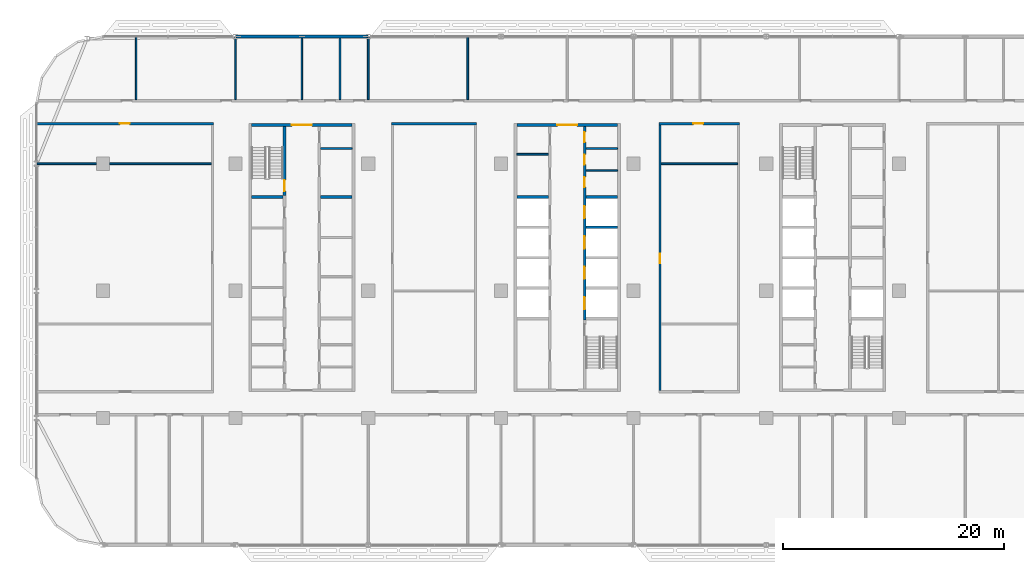
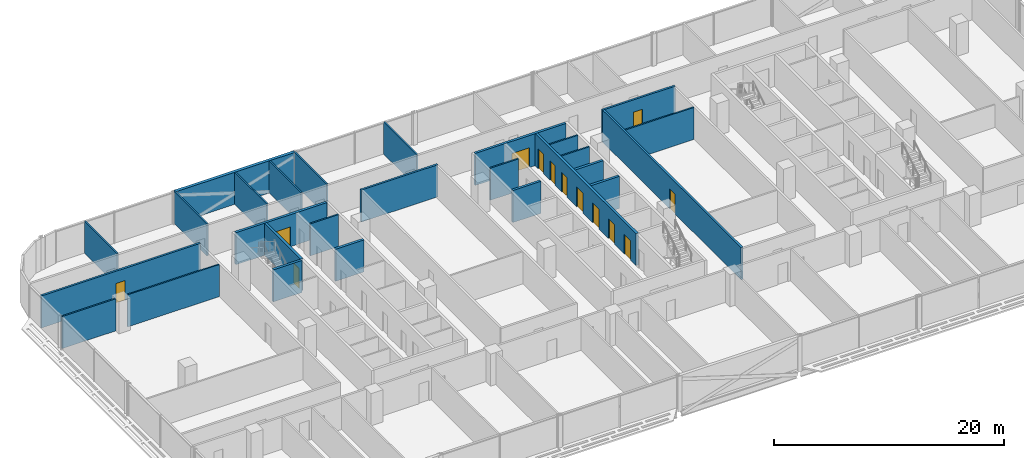
# One storey, part 13 of 28: 27 walls, 13 doors, 13 openings.
"""IFC4 building model written with IfcOpenShell, lengths in metres."""

from ifc_helpers import new_model, si_unit, direction, frame, frame_2d, origin, place, context, subcontext, project, spatial, rectangle, extrude, material, layer, layer_set, type_object, element, fill, save


model = new_model("IFC4")

# Units and contexts
model_context = context("Model", 3, precision=1e-05, world=origin(), true_north=direction((0.0, 1.0)))
body_context = subcontext(model_context, "Body", "Model", "MODEL_VIEW")
ifc_project = project(units=[si_unit("LENGTHUNIT", "METRE"), si_unit("AREAUNIT", "SQUARE_METRE"), si_unit("VOLUMEUNIT", "CUBIC_METRE"), si_unit("PLANEANGLEUNIT", "RADIAN"), si_unit("MASSUNIT", "GRAM", prefix="KILO")], contexts=[model_context])

# Site, building, storey
site_placement = place(None, origin())
site = spatial("IfcSite", under=ifc_project, at=site_placement, CompositionType="ELEMENT")
building_placement = place(site_placement, origin())
building = spatial("IfcBuilding", under=site, at=building_placement, Name="Mahtab Terrace Research Tower", CompositionType="ELEMENT")
storey_placement = place(building_placement, frame((0.0, 0.0, 185.800048828125)))
storey = spatial("IfcBuildingStorey", under=building, at=storey_placement, Name="L44", CompositionType="ELEMENT", Elevation=185.800048828125)

# Walls
ifc_material_1 = material(Name="Gypsum board partition")
ifc_layer_1 = layer(ifc_material_1, 0.14990234375)
ifc_layer_set_1 = layer_set([ifc_layer_1], Name="Core partition 150")
wall_type_1 = type_object("IfcWallType", Name="Core partition 150", PredefinedType="PARTITIONING", material=ifc_layer_set_1)
for number, where, z_axis, x_axis, name in (
    (1, (-22.300048828125, 12.875, 0.0), (0.0, 0.0, 1.0), (1.0, 0.0, 0.0), "Core wall A pEN988"),
    (2, (-4.550048828125, 12.35498046875, 0.0), (0.0, 0.0, 1.0), (1.0, 0.0, 0.0), "Core wall B pWN936"),
    (3, (1.699951171875, 10.875, 0.0), (0.0, 0.0, 1.0), (1.0, 0.0, 0.0), "Core wall B pEN788"),
    (4, (1.699951171875, 12.875, 0.0), (0.0, 0.0, 1.0), (1.0, 0.0, 0.0), "Core wall B pEN988"),
):
    element("IfcWall", number, at=place(storey_placement, frame(where, z_axis=z_axis, x_axis=x_axis)), inside=storey, type_object=wall_type_1, Name=name, PredefinedType="PARTITIONING", context=body_context, shape_type="SweptSolid", body=[
        extrude(rectangle(XDim=2.85009765625, YDim=0.14990234375, at=frame_2d((1.425048828125, 0.0))), origin(), (0.0, 0.0, 1.0), 3.39990234375),
    ])

# Wall, opening, door
ifc_material_2 = material(Name="Concrete C70/85", Category="concrete")
ifc_layer_2 = layer(ifc_material_2, 0.25)
ifc_layer_set_2 = layer_set([ifc_layer_2], Name="Core wall 250")
wall_type_2 = type_object("IfcWallType", Name="Core wall 250", PredefinedType="SOLIDWALL", material=ifc_layer_set_2)
wall_1_placement = place(storey_placement, frame((-28.550048828125, 15.0, 0.0), z_axis=(0.0, 0.0, 1.0), x_axis=(1.0, 0.0, 0.0)))
wall_1 = element("IfcWall", 5, at=wall_1_placement, inside=storey, type_object=wall_type_2, Name="Core wall A endN", PredefinedType="SOLIDWALL", context=body_context, shape_type="SweptSolid", body=[
    extrude(rectangle(XDim=9.10009765625, YDim=0.25, at=frame_2d((4.550048828125, 0.0))), origin(), (0.0, 0.0, 1.0), 3.39990234375),
])
opening_1_placement = place(wall_1_placement, frame((3.64990234375, 0.0, 0.0)))
opening_1 = element("IfcOpeningElement", 6, at=opening_1_placement, cuts=wall_1, Name="Opening A-N1", PredefinedType="OPENING", context=body_context, shape_type="SweptSolid", body=[
    extrude(rectangle(XDim=1.800048828125, YDim=2.10009765625, at=frame_2d((0.89990234375, 1.050048828125))), frame((0.0, 0.135009765625, 0.0), z_axis=(0.0, -1.0, 0.0), x_axis=(1.0, 0.0, 0.0)), (0.0, 0.0, 1.0), 0.27001953125),
])
ifc_material_3 = material(Name="Steel fire door", Category="steel")
door_type_1 = type_object("IfcDoorType", Name="Lobby double door 1800x2100 1 HR", OperationType="DOUBLE_DOOR_SINGLE_SWING", PredefinedType="DOOR", material=ifc_material_3)
door_1_placement = place(opening_1_placement, origin())
door_1 = element("IfcDoor", 7, at=door_1_placement, inside=storey, type_object=door_type_1, Name="Core entrance door A N", OperationType="DOUBLE_DOOR_SINGLE_SWING", OverallHeight=2.10009765625, OverallWidth=1.800048828125, PredefinedType="DOOR", context=body_context, shape_type="SweptSolid", body=[
    extrude(rectangle(XDim=1.800048828125, YDim=2.10009765625, at=frame_2d((0.89990234375, 1.050048828125))), frame((0.0, 0.02490234375, 0.0), z_axis=(0.0, -1.0, 0.0), x_axis=(1.0, 0.0, 0.0)), (0.0, 0.0, 1.0), 0.050048828125),
])
fill(opening_1, door_1)

wall_2_placement = place(storey_placement, frame((-25.574951171875, 14.875, 0.0), z_axis=(0.0, 0.0, 1.0), x_axis=(0.0, -1.0, 0.0)))
wall_2 = element("IfcWall", 8, at=wall_2_placement, inside=storey, type_object=wall_type_2, Name="Core wall A innerWN", PredefinedType="SOLIDWALL", context=body_context, shape_type="SweptSolid", body=[
    extrude(rectangle(XDim=6.25, YDim=0.25, at=frame_2d((3.125, 0.0))), origin(), (0.0, 0.0, 1.0), 3.39990234375),
])
opening_2_placement = place(wall_2_placement, frame((4.85009765625, 0.0, 0.0)))
opening_2 = element("IfcOpeningElement", 9, at=opening_2_placement, cuts=wall_2, Name="Opening A-ST1", PredefinedType="OPENING", context=body_context, shape_type="SweptSolid", body=[
    extrude(rectangle(XDim=1.0, YDim=2.10009765625, at=frame_2d((0.5, 1.050048828125))), frame((0.0, 0.135009765625, 0.0), z_axis=(0.0, -1.0, 0.0), x_axis=(1.0, 0.0, 0.0)), (0.0, 0.0, 1.0), 0.27001953125),
])
door_type_2 = type_object("IfcDoorType", Name="Stair door 1000x2100 1.5 HR", OperationType="NOTDEFINED", PredefinedType="DOOR", material=ifc_material_3)
door_2_placement = place(opening_2_placement, origin())
door_2 = element("IfcDoor", 10, at=door_2_placement, inside=storey, type_object=door_type_2, Name="Stair door ST1 L44", OperationType="SINGLE_SWING_LEFT", OverallHeight=2.10009765625, OverallWidth=1.0, PredefinedType="DOOR", context=body_context, shape_type="SweptSolid", body=[
    extrude(rectangle(XDim=1.0, YDim=2.10009765625, at=frame_2d((0.5, 1.050048828125))), frame((0.0, 0.02490234375, 0.0), z_axis=(0.0, -1.0, 0.0), x_axis=(1.0, 0.0, 0.0)), (0.0, 0.0, 1.0), 0.050048828125),
])
fill(opening_2, door_2)

# Walls
for number, where, z_axis, x_axis, name in (
    (11, (-28.550048828125, 8.5, 0.0), (0.0, 0.0, 1.0), (1.0, 0.0, 0.0), "Core wall A divW4"),
    (12, (-22.300048828125, 8.5, 0.0), (0.0, 0.0, 1.0), (1.0, 0.0, 0.0), "Core wall A divE4"),
):
    element("IfcWall", number, at=place(storey_placement, frame(where, z_axis=z_axis, x_axis=x_axis)), inside=storey, type_object=wall_type_2, Name=name, PredefinedType="SOLIDWALL", context=body_context, shape_type="SweptSolid", body=[
        extrude(rectangle(XDim=2.85009765625, YDim=0.25, at=frame_2d((1.425048828125, 0.0))), origin(), (0.0, 0.0, 1.0), 3.39990234375),
    ])

# Wall, opening, door
wall_3_placement = place(storey_placement, frame((-4.550048828125, 15.0, 0.0), z_axis=(0.0, 0.0, 1.0), x_axis=(1.0, 0.0, 0.0)))
wall_3 = element("IfcWall", 13, at=wall_3_placement, inside=storey, type_object=wall_type_2, Name="Core wall B endN", PredefinedType="SOLIDWALL", context=body_context, shape_type="SweptSolid", body=[
    extrude(rectangle(XDim=9.10009765625, YDim=0.25, at=frame_2d((4.550048828125, 0.0))), origin(), (0.0, 0.0, 1.0), 3.39990234375),
])
opening_3_placement = place(wall_3_placement, frame((3.64990234375, 0.0, 0.0)))
opening_3 = element("IfcOpeningElement", 14, at=opening_3_placement, cuts=wall_3, Name="Opening B-N1", PredefinedType="OPENING", context=body_context, shape_type="SweptSolid", body=[
    extrude(rectangle(XDim=1.800048828125, YDim=2.10009765625, at=frame_2d((0.89990234375, 1.050048828125))), frame((0.0, 0.135009765625, 0.0), z_axis=(0.0, -1.0, 0.0), x_axis=(1.0, 0.0, 0.0)), (0.0, 0.0, 1.0), 0.27001953125),
])
door_3_placement = place(opening_3_placement, origin())
door_3 = element("IfcDoor", 15, at=door_3_placement, inside=storey, type_object=door_type_1, Name="Core entrance door B N", OperationType="DOUBLE_DOOR_SINGLE_SWING", OverallHeight=2.10009765625, OverallWidth=1.800048828125, PredefinedType="DOOR", context=body_context, shape_type="SweptSolid", body=[
    extrude(rectangle(XDim=1.800048828125, YDim=2.10009765625, at=frame_2d((0.89990234375, 1.050048828125))), frame((0.0, 0.02490234375, 0.0), z_axis=(0.0, -1.0, 0.0), x_axis=(1.0, 0.0, 0.0)), (0.0, 0.0, 1.0), 0.050048828125),
])
fill(opening_3, door_3)

# Wall, openings, doors
wall_4_placement = place(storey_placement, frame((1.574951171875, 14.875, 0.0), z_axis=(0.0, 0.0, 1.0), x_axis=(0.0, -1.0, 0.0)))
wall_4 = element("IfcWall", 16, at=wall_4_placement, inside=storey, type_object=wall_type_2, Name="Core wall B innerELN", PredefinedType="SOLIDWALL", context=body_context, shape_type="SweptSolid", body=[
    extrude(rectangle(XDim=17.5, YDim=0.25, at=frame_2d((8.75, 0.0))), origin(), (0.0, 0.0, 1.0), 3.39990234375),
])
opening_4_placement = place(wall_4_placement, frame((15.449951171875, 0.0, 0.0)))
opening_4 = element("IfcOpeningElement", 17, at=opening_4_placement, cuts=wall_4, Name="Opening LD13-L44", PredefinedType="OPENING", context=body_context, shape_type="SweptSolid", body=[
    extrude(rectangle(XDim=1.10009765625, YDim=2.10009765625, at=frame_2d((0.550048828125, 1.050048828125))), frame((0.0, 0.135009765625, 0.0), z_axis=(0.0, -1.0, 0.0), x_axis=(1.0, 0.0, 0.0)), (0.0, 0.0, 1.0), 0.27001953125),
])
opening_5_placement = place(wall_4_placement, frame((12.699951171875, 0.0, 0.0)))
opening_5 = element("IfcOpeningElement", 18, at=opening_5_placement, cuts=wall_4, Name="Opening LD14-L44", PredefinedType="OPENING", context=body_context, shape_type="SweptSolid", body=[
    extrude(rectangle(XDim=1.10009765625, YDim=2.10009765625, at=frame_2d((0.550048828125, 1.050048828125))), frame((0.0, 0.135009765625, 0.0), z_axis=(0.0, -1.0, 0.0), x_axis=(1.0, 0.0, 0.0)), (0.0, 0.0, 1.0), 0.27001953125),
])
opening_6_placement = place(wall_4_placement, frame((9.949951171875, 0.0, 0.0)))
opening_6 = element("IfcOpeningElement", 19, at=opening_6_placement, cuts=wall_4, Name="Opening LD15-L44", PredefinedType="OPENING", context=body_context, shape_type="SweptSolid", body=[
    extrude(rectangle(XDim=1.10009765625, YDim=2.10009765625, at=frame_2d((0.550048828125, 1.050048828125))), frame((0.0, 0.135009765625, 0.0), z_axis=(0.0, -1.0, 0.0), x_axis=(1.0, 0.0, 0.0)), (0.0, 0.0, 1.0), 0.27001953125),
])
opening_7_placement = place(wall_4_placement, frame((7.199951171875, 0.0, 0.0)))
opening_7 = element("IfcOpeningElement", 20, at=opening_7_placement, cuts=wall_4, Name="Opening LD16-L44", PredefinedType="OPENING", context=body_context, shape_type="SweptSolid", body=[
    extrude(rectangle(XDim=1.10009765625, YDim=2.10009765625, at=frame_2d((0.550048828125, 1.050048828125))), frame((0.0, 0.135009765625, 0.0), z_axis=(0.0, -1.0, 0.0), x_axis=(1.0, 0.0, 0.0)), (0.0, 0.0, 1.0), 0.27001953125),
])
opening_8_placement = place(wall_4_placement, frame((4.58740234375, 0.0, 0.0)))
opening_8 = element("IfcOpeningElement", 21, at=opening_8_placement, cuts=wall_4, Name="Opening B-R4", PredefinedType="OPENING", context=body_context, shape_type="SweptSolid", body=[
    extrude(rectangle(XDim=0.89990234375, YDim=2.10009765625, at=frame_2d((0.449951171875, 1.050048828125))), frame((0.0, 0.135009765625, 0.0), z_axis=(0.0, -1.0, 0.0), x_axis=(1.0, 0.0, 0.0)), (0.0, 0.0, 1.0), 0.27001953125),
])
opening_9_placement = place(wall_4_placement, frame((2.550048828125, 0.0, 0.0)))
opening_9 = element("IfcOpeningElement", 22, at=opening_9_placement, cuts=wall_4, Name="Opening B-R5", PredefinedType="OPENING", context=body_context, shape_type="SweptSolid", body=[
    extrude(rectangle(XDim=0.89990234375, YDim=2.10009765625, at=frame_2d((0.449951171875, 1.050048828125))), frame((0.0, 0.135009765625, 0.0), z_axis=(0.0, -1.0, 0.0), x_axis=(1.0, 0.0, 0.0)), (0.0, 0.0, 1.0), 0.27001953125),
])
opening_10_placement = place(wall_4_placement, frame((0.512451171875, 0.0, 0.0)))
opening_10 = element("IfcOpeningElement", 23, at=opening_10_placement, cuts=wall_4, Name="Opening B-R6", PredefinedType="OPENING", context=body_context, shape_type="SweptSolid", body=[
    extrude(rectangle(XDim=0.89990234375, YDim=2.10009765625, at=frame_2d((0.449951171875, 1.050048828125))), frame((0.0, 0.135009765625, 0.0), z_axis=(0.0, -1.0, 0.0), x_axis=(1.0, 0.0, 0.0)), (0.0, 0.0, 1.0), 0.27001953125),
])
ifc_material_4 = material(Name="Stainless steel AISI 304", Category="steel")
door_type_3 = type_object("IfcDoorType", Name="Landing door 1100x2100", OperationType="DOUBLE_DOOR_SLIDING", PredefinedType="DOOR", material=ifc_material_4)
door_4_placement = place(opening_4_placement, origin())
door_4 = element("IfcDoor", 24, at=door_4_placement, inside=storey, type_object=door_type_3, Name="Landing door HR5 L44", OperationType="DOUBLE_DOOR_SLIDING", OverallHeight=2.10009765625, OverallWidth=1.10009765625, PredefinedType="DOOR", context=body_context, shape_type="SweptSolid", body=[
    extrude(rectangle(XDim=1.10009765625, YDim=2.10009765625, at=frame_2d((0.550048828125, 1.050048828125))), frame((0.0, 0.02490234375, 0.0), z_axis=(0.0, -1.0, 0.0), x_axis=(1.0, 0.0, 0.0)), (0.0, 0.0, 1.0), 0.050048828125),
])
fill(opening_4, door_4)
door_5_placement = place(opening_5_placement, origin())
door_5 = element("IfcDoor", 25, at=door_5_placement, inside=storey, type_object=door_type_3, Name="Landing door HR6 L44", OperationType="DOUBLE_DOOR_SLIDING", OverallHeight=2.10009765625, OverallWidth=1.10009765625, PredefinedType="DOOR", context=body_context, shape_type="SweptSolid", body=[
    extrude(rectangle(XDim=1.10009765625, YDim=2.10009765625, at=frame_2d((0.550048828125, 1.050048828125))), frame((0.0, 0.02490234375, 0.0), z_axis=(0.0, -1.0, 0.0), x_axis=(1.0, 0.0, 0.0)), (0.0, 0.0, 1.0), 0.050048828125),
])
fill(opening_5, door_5)
door_6_placement = place(opening_6_placement, origin())
door_6 = element("IfcDoor", 26, at=door_6_placement, inside=storey, type_object=door_type_3, Name="Landing door HR7 L44", OperationType="DOUBLE_DOOR_SLIDING", OverallHeight=2.10009765625, OverallWidth=1.10009765625, PredefinedType="DOOR", context=body_context, shape_type="SweptSolid", body=[
    extrude(rectangle(XDim=1.10009765625, YDim=2.10009765625, at=frame_2d((0.550048828125, 1.050048828125))), frame((0.0, 0.02490234375, 0.0), z_axis=(0.0, -1.0, 0.0), x_axis=(1.0, 0.0, 0.0)), (0.0, 0.0, 1.0), 0.050048828125),
])
fill(opening_6, door_6)
door_7_placement = place(opening_7_placement, origin())
door_7 = element("IfcDoor", 27, at=door_7_placement, inside=storey, type_object=door_type_3, Name="Landing door HR8 L44", OperationType="DOUBLE_DOOR_SLIDING", OverallHeight=2.10009765625, OverallWidth=1.10009765625, PredefinedType="DOOR", context=body_context, shape_type="SweptSolid", body=[
    extrude(rectangle(XDim=1.10009765625, YDim=2.10009765625, at=frame_2d((0.550048828125, 1.050048828125))), frame((0.0, 0.02490234375, 0.0), z_axis=(0.0, -1.0, 0.0), x_axis=(1.0, 0.0, 0.0)), (0.0, 0.0, 1.0), 0.050048828125),
])
fill(opening_7, door_7)
door_type_4 = type_object("IfcDoorType", Name="Room door 900x2100 1 HR", OperationType="NOTDEFINED", PredefinedType="DOOR", material=ifc_material_3)
door_8_placement = place(opening_8_placement, origin())
door_8 = element("IfcDoor", 28, at=door_8_placement, inside=storey, type_object=door_type_4, Name="Male WC door", OperationType="SINGLE_SWING_RIGHT", OverallHeight=2.10009765625, OverallWidth=0.89990234375, PredefinedType="DOOR", context=body_context, shape_type="SweptSolid", body=[
    extrude(rectangle(XDim=0.89990234375, YDim=2.10009765625, at=frame_2d((0.449951171875, 1.050048828125))), frame((0.0, 0.02490234375, 0.0), z_axis=(0.0, -1.0, 0.0), x_axis=(1.0, 0.0, 0.0)), (0.0, 0.0, 1.0), 0.050048828125),
])
fill(opening_8, door_8)
door_9_placement = place(opening_9_placement, origin())
door_9 = element("IfcDoor", 29, at=door_9_placement, inside=storey, type_object=door_type_4, Name="Female WC door", OperationType="SINGLE_SWING_LEFT", OverallHeight=2.10009765625, OverallWidth=0.89990234375, PredefinedType="DOOR", context=body_context, shape_type="SweptSolid", body=[
    extrude(rectangle(XDim=0.89990234375, YDim=2.10009765625, at=frame_2d((0.449951171875, 1.050048828125))), frame((0.0, 0.02490234375, 0.0), z_axis=(0.0, -1.0, 0.0), x_axis=(1.0, 0.0, 0.0)), (0.0, 0.0, 1.0), 0.050048828125),
])
fill(opening_9, door_9)
door_10_placement = place(opening_10_placement, origin())
door_10 = element("IfcDoor", 30, at=door_10_placement, inside=storey, type_object=door_type_4, Name="Accessible WC door", OperationType="SINGLE_SWING_RIGHT", OverallHeight=2.10009765625, OverallWidth=0.89990234375, PredefinedType="DOOR", context=body_context, shape_type="SweptSolid", body=[
    extrude(rectangle(XDim=0.89990234375, YDim=2.10009765625, at=frame_2d((0.449951171875, 1.050048828125))), frame((0.0, 0.02490234375, 0.0), z_axis=(0.0, -1.0, 0.0), x_axis=(1.0, 0.0, 0.0)), (0.0, 0.0, 1.0), 0.050048828125),
])
fill(opening_10, door_10)

# Walls
for number, where, z_axis, x_axis, name in (
    (31, (-4.550048828125, 8.5, 0.0), (0.0, 0.0, 1.0), (1.0, 0.0, 0.0), "Core wall B divW4"),
    (32, (1.699951171875, 5.75, 0.0), (0.0, 0.0, 1.0), (1.0, 0.0, 0.0), "Core wall B divE3"),
    (33, (1.699951171875, 8.5, 0.0), (0.0, 0.0, 1.0), (1.0, 0.0, 0.0), "Core wall B divE4"),
):
    element("IfcWall", number, at=place(storey_placement, frame(where, z_axis=z_axis, x_axis=x_axis)), inside=storey, type_object=wall_type_2, Name=name, PredefinedType="SOLIDWALL", context=body_context, shape_type="SweptSolid", body=[
        extrude(rectangle(XDim=2.85009765625, YDim=0.25, at=frame_2d((1.425048828125, 0.0))), origin(), (0.0, 0.0, 1.0), 3.39990234375),
    ])
ifc_material_5 = material(Name="Black aluminium cladding panel", Category="aluminium")
ifc_layer_3 = layer(ifc_material_5, 0.300048828125)
ifc_layer_set_3 = layer_set([ifc_layer_3], Name="Opaque facade wall 300")
wall_type_3 = type_object("IfcWallType", Name="Opaque facade wall 300", PredefinedType="NOTDEFINED", material=ifc_layer_set_3)
wall_5_placement = place(storey_placement, frame((-18.014892578125, 23.0, 0.0), z_axis=(0.0, 0.0, 1.0), x_axis=(-1.0, 0.0, 0.0)))
element("IfcWall", 34, at=wall_5_placement, inside=storey, type_object=wall_type_3, Name="Opaque facade wall L44 N8", PredefinedType="NOTDEFINED", context=body_context, shape_type="SweptSolid", body=[
    extrude(rectangle(XDim=11.97021484375, YDim=0.300048828125, at=frame_2d((5.985107421875, 0.0))), origin(), (0.0, 0.0, 1.0), 3.39990234375),
])

# Wall, opening, door
ifc_material_6 = material(Name="Gypsum board corridor wall on steel studs", Category="steel")
ifc_layer_4 = layer(ifc_material_6, 0.199951171875)
ifc_layer_set_4 = layer_set([ifc_layer_4], Name="WALL CORRIDOR 200")
wall_type_4 = type_object("IfcWallType", Name="WALL CORRIDOR 200", PredefinedType="PARTITIONING", material=ifc_layer_set_4)
wall_6_placement = place(storey_placement, frame((-47.97509765625, 15.125, 0.0), z_axis=(0.0, 0.0, 1.0), x_axis=(1.0, 0.0, 0.0)))
wall_6 = element("IfcWall", 35, at=wall_6_placement, inside=storey, type_object=wall_type_4, Name="L44-W022", PredefinedType="PARTITIONING", context=body_context, shape_type="SweptSolid", body=[
    extrude(rectangle(XDim=15.97509765625, YDim=0.199951171875, at=frame_2d((7.987548828125, 0.0))), origin(), (0.0, 0.0, 1.0), 3.39990234375),
])
opening_11_placement = place(wall_6_placement, frame((7.5, 0.0, 0.0)))
opening_11 = element("IfcOpeningElement", 36, at=opening_11_placement, cuts=wall_6, Name="Opening L44-127", PredefinedType="OPENING", context=body_context, shape_type="SweptSolid", body=[
    extrude(rectangle(XDim=0.89990234375, YDim=2.10009765625, at=frame_2d((0.449951171875, 1.050048828125))), frame((0.0, 0.10986328125, 0.0), z_axis=(0.0, -1.0, 0.0), x_axis=(1.0, 0.0, 0.0)), (0.0, 0.0, 1.0), 0.219970703125),
])
ifc_material_7 = material(Name="Timber door leaf in steel frame", Category="steel")
door_type_5 = type_object("IfcDoorType", Name="DOOR 0900X2100 FD30S", OperationType="SINGLE_SWING_LEFT", PredefinedType="DOOR", material=ifc_material_7)
door_11_placement = place(opening_11_placement, origin())
door_11 = element("IfcDoor", 37, at=door_11_placement, inside=storey, type_object=door_type_5, Name="Door L44-127", OperationType="SINGLE_SWING_LEFT", OverallHeight=2.10009765625, OverallWidth=0.89990234375, PredefinedType="DOOR", context=body_context, shape_type="SweptSolid", body=[
    extrude(rectangle(XDim=0.89990234375, YDim=2.10009765625, at=frame_2d((0.449951171875, 1.050048828125))), frame((0.0, 0.02490234375, 0.0), z_axis=(0.0, -1.0, 0.0), x_axis=(1.0, 0.0, 0.0)), (0.0, 0.0, 1.0), 0.050048828125),
])
fill(opening_11, door_11)

# Wall
wall_7_placement = place(storey_placement, frame((-15.89990234375, 15.125, 0.0), z_axis=(0.0, 0.0, 1.0), x_axis=(1.0, 0.0, 0.0)))
element("IfcWall", 38, at=wall_7_placement, inside=storey, type_object=wall_type_4, Name="L44-W023", PredefinedType="PARTITIONING", context=body_context, shape_type="SweptSolid", body=[
    extrude(rectangle(XDim=7.699951171875, YDim=0.199951171875, at=frame_2d((3.85009765625, 0.0))), origin(), (0.0, 0.0, 1.0), 3.39990234375),
])

# Wall, opening, door
wall_8_placement = place(storey_placement, frame((8.300048828125, 15.125, 0.0), z_axis=(0.0, 0.0, 1.0), x_axis=(1.0, 0.0, 0.0)))
wall_8 = element("IfcWall", 39, at=wall_8_placement, inside=storey, type_object=wall_type_4, Name="L44-W024", PredefinedType="PARTITIONING", context=body_context, shape_type="SweptSolid", body=[
    extrude(rectangle(XDim=7.300048828125, YDim=0.199951171875, at=frame_2d((3.64990234375, 0.0))), origin(), (0.0, 0.0, 1.0), 3.39990234375),
])
opening_12_placement = place(wall_8_placement, frame((3.10009765625, 0.0, 0.0)))
opening_12 = element("IfcOpeningElement", 40, at=opening_12_placement, cuts=wall_8, Name="Opening L44-128", PredefinedType="OPENING", context=body_context, shape_type="SweptSolid", body=[
    extrude(rectangle(XDim=0.89990234375, YDim=2.10009765625, at=frame_2d((0.449951171875, 1.050048828125))), frame((0.0, 0.10986328125, 0.0), z_axis=(0.0, -1.0, 0.0), x_axis=(1.0, 0.0, 0.0)), (0.0, 0.0, 1.0), 0.219970703125),
])
door_12_placement = place(opening_12_placement, origin())
door_12 = element("IfcDoor", 41, at=door_12_placement, inside=storey, type_object=door_type_5, Name="Door L44-128", OperationType="SINGLE_SWING_RIGHT", OverallHeight=2.10009765625, OverallWidth=0.89990234375, PredefinedType="DOOR", context=body_context, shape_type="SweptSolid", body=[
    extrude(rectangle(XDim=0.89990234375, YDim=2.10009765625, at=frame_2d((0.449951171875, 1.050048828125))), frame((0.0, 0.02490234375, 0.0), z_axis=(0.0, -1.0, 0.0), x_axis=(1.0, 0.0, 0.0)), (0.0, 0.0, 1.0), 0.050048828125),
])
fill(opening_12, door_12)

wall_9_placement = place(storey_placement, frame((8.39990234375, -9.02490234375, 0.0), z_axis=(0.0, 0.0, 1.0), x_axis=(0.0, 1.0, 0.0)))
wall_9 = element("IfcWall", 42, at=wall_9_placement, inside=storey, type_object=wall_type_4, Name="L44-W047", PredefinedType="PARTITIONING", context=body_context, shape_type="SweptSolid", body=[
    extrude(rectangle(XDim=24.0498046875, YDim=0.199951171875, at=frame_2d((12.02490234375, 0.0))), origin(), (0.0, 0.0, 1.0), 3.39990234375),
])
opening_13_placement = place(wall_9_placement, frame((11.5, 0.0, 0.0)))
opening_13 = element("IfcOpeningElement", 43, at=opening_13_placement, cuts=wall_9, Name="Opening L44-123", PredefinedType="OPENING", context=body_context, shape_type="SweptSolid", body=[
    extrude(rectangle(XDim=0.89990234375, YDim=2.10009765625, at=frame_2d((0.449951171875, 1.050048828125))), frame((0.0, 0.10986328125, 0.0), z_axis=(0.0, -1.0, 0.0), x_axis=(1.0, 0.0, 0.0)), (0.0, 0.0, 1.0), 0.219970703125),
])
door_13_placement = place(opening_13_placement, origin())
door_13 = element("IfcDoor", 44, at=door_13_placement, inside=storey, type_object=door_type_5, Name="Door L44-123", OperationType="SINGLE_SWING_RIGHT", OverallHeight=2.10009765625, OverallWidth=0.89990234375, PredefinedType="DOOR", context=body_context, shape_type="SweptSolid", body=[
    extrude(rectangle(XDim=0.89990234375, YDim=2.10009765625, at=frame_2d((0.449951171875, 1.050048828125))), frame((0.0, 0.02490234375, 0.0), z_axis=(0.0, -1.0, 0.0), x_axis=(1.0, 0.0, 0.0)), (0.0, 0.0, 1.0), 0.050048828125),
])
fill(opening_13, door_13)

# Walls
ifc_material_8 = material(Name="Gypsum board partition on steel studs", Category="steel")
ifc_layer_5 = layer(ifc_material_8, 0.14990234375)
ifc_layer_set_5 = layer_set([ifc_layer_5], Name="WALL PARTITION 150")
wall_type_5 = type_object("IfcWallType", Name="WALL PARTITION 150", PredefinedType="PARTITIONING", material=ifc_layer_set_5)
wall_10_placement = place(storey_placement, frame((-47.97509765625, 11.5, 0.0), z_axis=(0.0, 0.0, 1.0), x_axis=(1.0, 0.0, 0.0)))
element("IfcWall", 45, at=wall_10_placement, inside=storey, type_object=wall_type_5, Name="L44-W019", PredefinedType="PARTITIONING", context=body_context, shape_type="SweptSolid", body=[
    extrude(rectangle(XDim=5.375, YDim=0.14990234375, at=frame_2d((2.6875, 0.0))), origin(), (0.0, 0.0, 1.0), 3.39990234375),
])
wall_11_placement = place(storey_placement, frame((-41.39990234375, 11.5, 0.0), z_axis=(0.0, 0.0, 1.0), x_axis=(1.0, 0.0, 0.0)))
element("IfcWall", 46, at=wall_11_placement, inside=storey, type_object=wall_type_5, Name="L44-W020", PredefinedType="PARTITIONING", context=body_context, shape_type="SweptSolid", body=[
    extrude(rectangle(XDim=9.199951171875, YDim=0.14990234375, at=frame_2d((4.60009765625, 0.0))), origin(), (0.0, 0.0, 1.0), 3.39990234375),
])
wall_12_placement = place(storey_placement, frame((8.5, 11.5, 0.0), z_axis=(0.0, 0.0, 1.0), x_axis=(1.0, 0.0, 0.0)))
element("IfcWall", 47, at=wall_12_placement, inside=storey, type_object=wall_type_5, Name="L44-W021", PredefinedType="PARTITIONING", context=body_context, shape_type="SweptSolid", body=[
    extrude(rectangle(XDim=6.89990234375, YDim=0.14990234375, at=frame_2d((3.449951171875, 0.0))), origin(), (0.0, 0.0, 1.0), 3.39990234375),
])
for number, where, z_axis, x_axis, name in (
    (48, (-39.0, 17.300048828125, 0.0), (0.0, 0.0, 1.0), (0.0, 1.0, 0.0), "L44-W028"),
    (49, (-30.0, 17.300048828125, 0.0), (0.0, 0.0, 1.0), (0.0, 1.0, 0.0), "L44-W032"),
):
    element("IfcWall", number, at=place(storey_placement, frame(where, z_axis=z_axis, x_axis=x_axis)), inside=storey, type_object=wall_type_5, Name=name, PredefinedType="PARTITIONING", context=body_context, shape_type="SweptSolid", body=[
        extrude(rectangle(XDim=5.675048828125, YDim=0.14990234375, at=frame_2d((2.83740234375, 0.0))), origin(), (0.0, 0.0, 1.0), 3.39990234375),
    ])
for number, where, z_axis, x_axis, name in (
    (50, (-24.0, 17.300048828125, 0.0), (0.0, 0.0, 1.0), (0.0, 1.0, 0.0), "L44-W034"),
    (51, (-20.550048828125, 17.300048828125, 0.0), (0.0, 0.0, 1.0), (0.0, 1.0, 0.0), "L44-W035"),
):
    element("IfcWall", number, at=place(storey_placement, frame(where, z_axis=z_axis, x_axis=x_axis)), inside=storey, type_object=wall_type_5, Name=name, PredefinedType="PARTITIONING", context=body_context, shape_type="SweptSolid", body=[
        extrude(rectangle(XDim=5.550048828125, YDim=0.14990234375, at=frame_2d((2.77490234375, 0.0))), origin(), (0.0, 0.0, 1.0), 3.39990234375),
    ])
for number, where, z_axis, x_axis, name in (
    (52, (-18.0, 17.300048828125, 0.0), (0.0, 0.0, 1.0), (0.0, 1.0, 0.0), "L44-W037"),
    (53, (-9.0, 17.300048828125, 0.0), (0.0, 0.0, 1.0), (0.0, 1.0, 0.0), "L44-W040"),
):
    element("IfcWall", number, at=place(storey_placement, frame(where, z_axis=z_axis, x_axis=x_axis)), inside=storey, type_object=wall_type_5, Name=name, PredefinedType="PARTITIONING", context=body_context, shape_type="SweptSolid", body=[
        extrude(rectangle(XDim=5.675048828125, YDim=0.14990234375, at=frame_2d((2.83740234375, 0.0))), origin(), (0.0, 0.0, 1.0), 3.39990234375),
    ])

save(model, "model.ifc")
